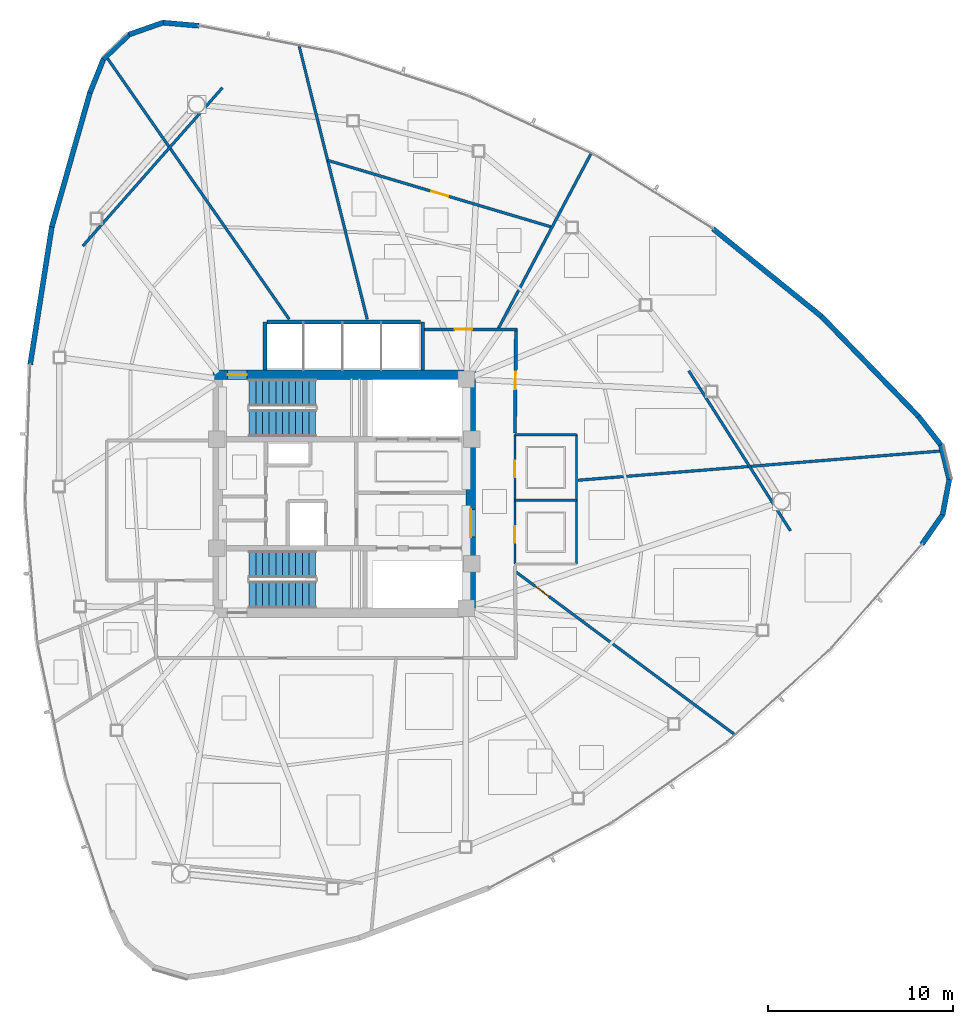
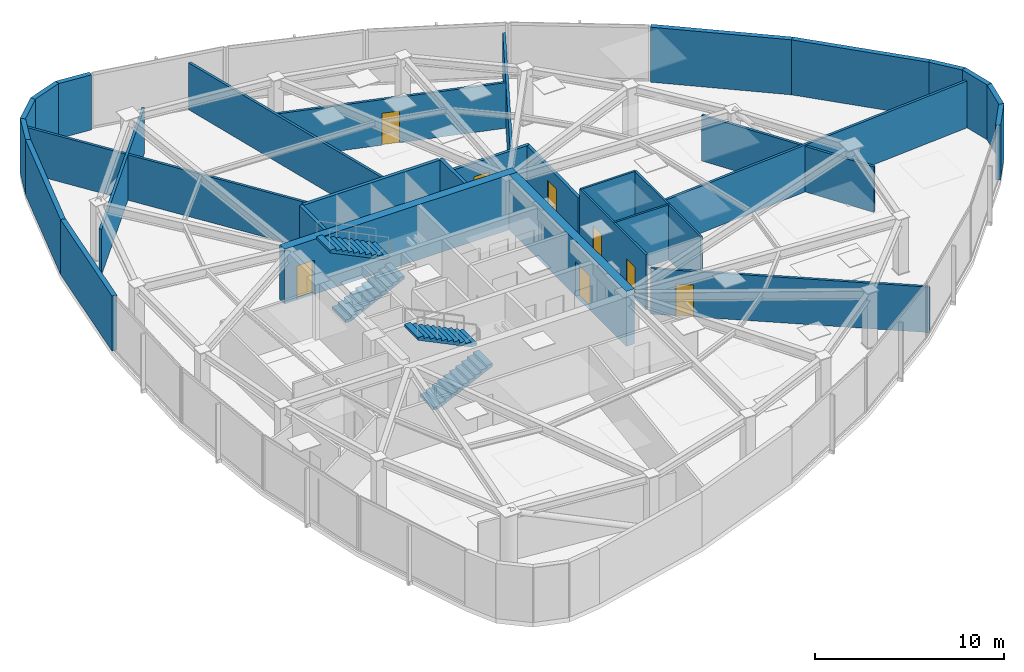
# One storey, part 12 of 17: 31 walls, 8 doors, 4 stair flights, 8 openings, 2 elements without a shape of their own.
"""IFC4 building model written with IfcOpenShell, lengths in metres."""

from ifc_helpers import new_model, si_unit, direction, frame, frame_2d, origin, place, context, subcontext, project, spatial, polyline, rectangle, outline, extrude, material, layer, layer_set, type_object, element, fill, aggregate, save


model = new_model("IFC4")

# Units and contexts
model_context = context("Model", 3, precision=1e-05, world=origin(), true_north=direction((0.0, 1.0)))
body_context = subcontext(model_context, "Body", "Model", "MODEL_VIEW")
ifc_project = project(units=[si_unit("LENGTHUNIT", "METRE"), si_unit("AREAUNIT", "SQUARE_METRE"), si_unit("VOLUMEUNIT", "CUBIC_METRE"), si_unit("PLANEANGLEUNIT", "RADIAN"), si_unit("MASSUNIT", "GRAM", prefix="KILO")], contexts=[model_context])

# Site, building, storey
site_placement = place(None, origin())
site = spatial("IfcSite", under=ifc_project, at=site_placement, CompositionType="ELEMENT")
building_placement = place(site_placement, origin())
building = spatial("IfcBuilding", under=site, at=building_placement, Name="Tavelor Broadcast Tower", CompositionType="ELEMENT")
storey_placement = place(building_placement, frame((0.0, 0.0, 165.64990234375)))
storey = spatial("IfcBuildingStorey", under=building, at=storey_placement, Name="L39", CompositionType="ELEMENT", Elevation=165.64990234375)

# Wall, opening, door
ifc_material_1 = material(Name="Concrete C50/60", Category="concrete")
ifc_layer_1 = layer(ifc_material_1, 0.5)
ifc_layer_set_1 = layer_set([ifc_layer_1], Name="Concrete C50/60")
wall_type_1 = type_object("IfcWallType", Name="Core Shear Wall 500 mm", PredefinedType="SHEAR", material=ifc_layer_set_1)
wall_1_placement = place(storey_placement, frame((42.89990234375, 51.449951171875, 0.0), z_axis=(0.0, 0.0, 1.0), x_axis=(1.0, 0.0, 0.0)))
wall_1 = element("IfcWall", 1, at=wall_1_placement, inside=storey, type_object=wall_type_1, Name="L39 Central Core Shear Wall N", PredefinedType="SHEAR", context=body_context, shape_type="SweptSolid", body=[
    extrude(rectangle(XDim=14.2001953125, YDim=0.5, at=frame_2d((7.10009765625, 0.0))), origin(), (0.0, 0.0, 1.0), 3.550048828125),
])
opening_1_placement = place(wall_1_placement, frame((0.780029296875, 0.0, 0.0)))
opening_1 = element("IfcOpeningElement", 2, at=opening_1_placement, cuts=wall_1, Name="Opening DR11", PredefinedType="OPENING", context=body_context, shape_type="SweptSolid", body=[
    extrude(rectangle(XDim=1.050048828125, YDim=2.199951171875, at=frame_2d((0.52490234375, 1.10009765625))), frame((0.0, 0.260009765625, 0.0), z_axis=(0.0, -1.0, 0.0), x_axis=(1.0, 0.0, 0.0)), (0.0, 0.0, 1.0), 0.52001953125),
])
ifc_material_2 = material(Name="Steel S355", Category="steel")
door_type_1 = type_object("IfcDoorType", Name="Stair Core Fire Escape Door 1050x2200", OperationType="NOTDEFINED", PredefinedType="DOOR", material=ifc_material_2)
door_1_placement = place(opening_1_placement, origin())
door_1 = element("IfcDoor", 3, at=door_1_placement, inside=storey, type_object=door_type_1, Name="L39 Stair ST1 Protected Exit Door", OperationType="SINGLE_SWING_LEFT", OverallHeight=2.199951171875, OverallWidth=1.050048828125, PredefinedType="DOOR", context=body_context, shape_type="SweptSolid", body=[
    extrude(rectangle(XDim=1.050048828125, YDim=2.199951171875, at=frame_2d((0.52490234375, 1.10009765625))), frame((0.0, 0.02490234375, 0.0), z_axis=(0.0, -1.0, 0.0), x_axis=(1.0, 0.0, 0.0)), (0.0, 0.0, 1.0), 0.050048828125),
])
fill(opening_1, door_1)

wall_2_placement = place(storey_placement, frame((56.85009765625, 38.800048828125, 0.0), z_axis=(0.0, 0.0, 1.0), x_axis=(0.0, 1.0, 0.0)))
wall_2 = element("IfcWall", 4, at=wall_2_placement, inside=storey, type_object=wall_type_1, Name="L39 Central Core Shear Wall E", PredefinedType="SHEAR", context=body_context, shape_type="SweptSolid", body=[
    extrude(rectangle(XDim=12.39990234375, YDim=0.5, at=frame_2d((6.199951171875, 0.0))), origin(), (0.0, 0.0, 1.0), 3.550048828125),
])
opening_2_placement = place(wall_2_placement, frame((3.85009765625, 0.0, 0.0)))
opening_2 = element("IfcOpeningElement", 5, at=opening_2_placement, cuts=wall_2, Name="Opening DR14", PredefinedType="OPENING", context=body_context, shape_type="SweptSolid", body=[
    extrude(rectangle(XDim=1.5, YDim=2.199951171875, at=frame_2d((0.75, 1.10009765625))), frame((0.0, 0.260009765625, 0.0), z_axis=(0.0, -1.0, 0.0), x_axis=(1.0, 0.0, 0.0)), (0.0, 0.0, 1.0), 0.52001953125),
])
door_type_2 = type_object("IfcDoorType", Name="Firefighting Lobby Double Fire Door 1500x2200", OperationType="NOTDEFINED", PredefinedType="DOOR", material=ifc_material_2)
door_2_placement = place(opening_2_placement, origin())
door_2 = element("IfcDoor", 6, at=door_2_placement, inside=storey, type_object=door_type_2, Name="L39 Central Core Lobby Fire Door", OperationType="SINGLE_SWING_RIGHT", OverallHeight=2.199951171875, OverallWidth=1.5, PredefinedType="DOOR", context=body_context, shape_type="SweptSolid", body=[
    extrude(rectangle(XDim=1.5, YDim=2.199951171875, at=frame_2d((0.75, 1.10009765625))), frame((0.0, 0.02490234375, 0.0), z_axis=(0.0, -1.0, 0.0), x_axis=(1.0, 0.0, 0.0)), (0.0, 0.0, 1.0), 0.050048828125),
])
fill(opening_2, door_2)

ifc_material_3 = material(Name="Calcium Silicate Fire Board 180 mm", Category="gypsum")
ifc_layer_2 = layer(ifc_material_3, 0.179931640625)
ifc_layer_set_2 = layer_set([ifc_layer_2], Name="Calcium Silicate Fire Board 180 mm")
wall_type_2 = type_object("IfcWallType", Name="Fire-Rated Corridor Partition Wall 180 mm", PredefinedType="PARTITIONING", material=ifc_layer_set_2)
wall_3_placement = place(storey_placement, frame((54.300048828125, 53.89990234375, 0.0), z_axis=(0.0, 0.0, 1.0), x_axis=(1.0, 0.0, 0.0)))
wall_3 = element("IfcWall", 7, at=wall_3_placement, inside=storey, type_object=wall_type_2, Name="L39 Corridor Compartment Wall 01", PredefinedType="PARTITIONING", context=body_context, shape_type="SweptSolid", body=[
    extrude(rectangle(XDim=5.050048828125, YDim=0.179931640625, at=frame_2d((2.52490234375, 0.0))), origin(), (0.0, 0.0, 1.0), 2.93505859375),
])
opening_3_placement = place(wall_3_placement, frame((1.67431640625, 0.0, 0.0)))
opening_3 = element("IfcOpeningElement", 8, at=opening_3_placement, cuts=wall_3, Name="Opening DR18", PredefinedType="OPENING", context=body_context, shape_type="SweptSolid", body=[
    extrude(rectangle(XDim=0.949951171875, YDim=2.050048828125, at=frame_2d((0.47509765625, 1.02490234375))), frame((0.0, 0.10009765625, 0.0), z_axis=(0.0, -1.0, 0.0), x_axis=(1.0, 0.0, 0.0)), (0.0, 0.0, 1.0), 0.199951171875),
])
ifc_material_4 = material(Name="Timber Solid Core Hardwood", Category="wood")
door_type_3 = type_object("IfcDoorType", Name="Corridor Rated Compartment Door 950x2050", OperationType="NOTDEFINED", PredefinedType="DOOR", material=ifc_material_4)
door_3_placement = place(opening_3_placement, origin())
door_3 = element("IfcDoor", 9, at=door_3_placement, inside=storey, type_object=door_type_3, Name="L39 Technical Mail and Post Room Door R8", OperationType="SINGLE_SWING_RIGHT", OverallHeight=2.050048828125, OverallWidth=0.949951171875, PredefinedType="DOOR", context=body_context, shape_type="SweptSolid", body=[
    extrude(rectangle(XDim=0.949951171875, YDim=2.050048828125, at=frame_2d((0.47509765625, 1.02490234375))), frame((0.0, 0.02490234375, 0.0), z_axis=(0.0, -1.0, 0.0), x_axis=(1.0, 0.0, 0.0)), (0.0, 0.0, 1.0), 0.050048828125),
])
fill(opening_3, door_3)

wall_4_placement = place(storey_placement, frame((59.300537109375, 53.949951171875, 0.0), z_axis=(0.0, 0.0, 1.0), x_axis=(-0.010629422803, -0.99994350609, 0.0)))
wall_4 = element("IfcWall", 10, at=wall_4_placement, inside=storey, type_object=wall_type_2, Name="L39 Corridor Compartment Wall 02", PredefinedType="PARTITIONING", context=body_context, shape_type="SweptSolid", body=[
    extrude(rectangle(XDim=5.650146484375, YDim=0.179931640625, at=frame_2d((2.8251953125, 0.0))), origin(), (0.0, 0.0, 1.0), 2.93505859375),
])
opening_4_placement = place(wall_4_placement, frame((2.35009765625, 0.0, 0.0)))
opening_4 = element("IfcOpeningElement", 11, at=opening_4_placement, cuts=wall_4, Name="Opening DR18", PredefinedType="OPENING", context=body_context, shape_type="SweptSolid", body=[
    extrude(rectangle(XDim=0.949951171875, YDim=2.050048828125, at=frame_2d((0.47509765625, 1.02490234375))), frame((0.0, 0.10009765625, 0.0), z_axis=(0.0, -1.0, 0.0), x_axis=(1.0, 0.0, 0.0)), (0.0, 0.0, 1.0), 0.199951171875),
])
door_4_placement = place(opening_4_placement, origin())
door_4 = element("IfcDoor", 12, at=door_4_placement, inside=storey, type_object=door_type_3, Name="L39 Digital Publishing Workspace Door R6", OperationType="SINGLE_SWING_LEFT", OverallHeight=2.050048828125, OverallWidth=0.949951171875, PredefinedType="DOOR", context=body_context, shape_type="SweptSolid", body=[
    extrude(rectangle(XDim=0.949951171875, YDim=2.050048828125, at=frame_2d((0.47509765625, 1.02490234375))), frame((0.0, 0.02490234375, 0.0), z_axis=(0.0, -1.0, 0.0), x_axis=(1.0, 0.0, 0.0)), (0.0, 0.0, 1.0), 0.050048828125),
])
fill(opening_4, door_4)

# Walls
ifc_material_5 = material(Name="Precast Concrete C40/50", Category="concrete")
ifc_layer_3 = layer(ifc_material_5, 0.280029296875)
ifc_layer_set_3 = layer_set([ifc_layer_3], Name="Precast Concrete C40/50")
wall_type_3 = type_object("IfcWallType", Name="Insulated Precast Terracotta Facade Wall 280 mm", PredefinedType="STANDARD", material=ifc_layer_set_3)
wall_5_placement = place(storey_placement, frame((42.124267578125, 70.346923828125, 0.0), z_axis=(0.0, 0.0, 1.0), x_axis=(-0.996265185005, 0.086346286241, 0.0)))
element("IfcWall", 13, at=wall_5_placement, inside=storey, type_object=wall_type_3, Name="L39 Rounded Corner Structural Cladding Pier 01", PredefinedType="STANDARD", context=body_context, shape_type="SweptSolid", body=[
    extrude(rectangle(XDim=1.970703125, YDim=0.280029296875, at=frame_2d((0.9853515625, 0.0))), origin(), (0.0, 0.0, 1.0), 3.550048828125),
])
for number, where, z_axis, x_axis, name in (
    (14, (40.18994140625, 70.520751953125, 0.0), (0.0, 0.0, 1.0), (-0.94350226642, -0.331366071379, 0.0), "L39 Rounded Corner Structural Cladding Pier 02"),
    (15, (38.366455078125, 69.88671875, 0.0), (0.0, 0.0, 1.0), (-0.723610147299, -0.690208921071, 0.0), "L39 Rounded Corner Structural Cladding Pier 03"),
):
    element("IfcWall", number, at=place(storey_placement, frame(where, z_axis=z_axis, x_axis=x_axis)), inside=storey, type_object=wall_type_3, Name=name, PredefinedType="STANDARD", context=body_context, shape_type="SweptSolid", body=[
        extrude(rectangle(XDim=1.958984375, YDim=0.280029296875, at=frame_2d((0.9794921875, 0.0))), origin(), (0.0, 0.0, 1.0), 3.550048828125),
    ])
wall_6_placement = place(storey_placement, frame((36.96533203125, 68.558837890625, 0.0), z_axis=(0.0, 0.0, 1.0), x_axis=(-0.37535908482, -0.926879472986, 0.0)))
element("IfcWall", 16, at=wall_6_placement, inside=storey, type_object=wall_type_3, Name="L39 Rounded Corner Structural Cladding Pier 04", PredefinedType="STANDARD", context=body_context, shape_type="SweptSolid", body=[
    extrude(rectangle(XDim=1.98193359375, YDim=0.280029296875, at=frame_2d((0.990966796875, 0.0))), origin(), (0.0, 0.0, 1.0), 3.550048828125),
])
wall_7_placement = place(storey_placement, frame((36.231201171875, 66.75048828125, 0.0), z_axis=(0.0, 0.0, 1.0), x_axis=(-0.273547795035, -0.96185841153, 0.0)))
element("IfcWall", 17, at=wall_7_placement, inside=storey, type_object=wall_type_3, Name="L39 Rounded Corner Structural Cladding Pier 05", PredefinedType="STANDARD", context=body_context, shape_type="SweptSolid", body=[
    extrude(rectangle(XDim=7.586181640625, YDim=0.280029296875, at=frame_2d((3.79296875, 0.0))), origin(), (0.0, 0.0, 1.0), 3.550048828125),
])
wall_8_placement = place(storey_placement, frame((34.162353515625, 59.48291015625, 0.0), z_axis=(0.0, 0.0, 1.0), x_axis=(-0.15516638453, -0.98788835053, 0.0)))
element("IfcWall", 18, at=wall_8_placement, inside=storey, type_object=wall_type_3, Name="L39 Rounded Corner Structural Cladding Pier 06", PredefinedType="STANDARD", context=body_context, shape_type="SweptSolid", body=[
    extrude(rectangle(XDim=7.574462890625, YDim=0.280029296875, at=frame_2d((3.787109375, 0.0))), origin(), (0.0, 0.0, 1.0), 3.550048828125),
])
wall_9_placement = place(storey_placement, frame((81.2890625, 42.264892578125, 0.0), z_axis=(0.0, 0.0, 1.0), x_axis=(0.57286353216, 0.819650763143, 0.0)))
element("IfcWall", 19, at=wall_9_placement, inside=storey, type_object=wall_type_3, Name="L39 Rounded Corner Structural Cladding Pier 21", PredefinedType="STANDARD", context=body_context, shape_type="SweptSolid", body=[
    extrude(rectangle(XDim=1.970703125, YDim=0.280029296875, at=frame_2d((0.9853515625, 0.0))), origin(), (0.0, 0.0, 1.0), 3.550048828125),
])
wall_10_placement = place(storey_placement, frame((82.406494140625, 43.85302734375, 0.0), z_axis=(0.0, 0.0, 1.0), x_axis=(0.184912930477, 0.982754907463, 0.0)))
element("IfcWall", 20, at=wall_10_placement, inside=storey, type_object=wall_type_3, Name="L39 Rounded Corner Structural Cladding Pier 22", PredefinedType="STANDARD", context=body_context, shape_type="SweptSolid", body=[
    extrude(rectangle(XDim=1.959228515625, YDim=0.280029296875, at=frame_2d((0.9794921875, 0.0))), origin(), (0.0, 0.0, 1.0), 3.550048828125),
])
wall_11_placement = place(storey_placement, frame((82.76953125, 45.749267578125, 0.0), z_axis=(0.0, 0.0, 1.0), x_axis=(-0.236049447122, 0.971741044988, 0.0)))
element("IfcWall", 21, at=wall_11_placement, inside=storey, type_object=wall_type_3, Name="L39 Rounded Corner Structural Cladding Pier 23", PredefinedType="STANDARD", context=body_context, shape_type="SweptSolid", body=[
    extrude(rectangle(XDim=1.958984375, YDim=0.280029296875, at=frame_2d((0.9794921875, 0.0))), origin(), (0.0, 0.0, 1.0), 3.550048828125),
])
wall_12_placement = place(storey_placement, frame((82.31982421875, 47.62646484375, 0.0), z_axis=(0.0, 0.0, 1.0), x_axis=(-0.61497205471, 0.788548902685, 0.0)))
element("IfcWall", 22, at=wall_12_placement, inside=storey, type_object=wall_type_3, Name="L39 Rounded Corner Structural Cladding Pier 24", PredefinedType="STANDARD", context=body_context, shape_type="SweptSolid", body=[
    extrude(rectangle(XDim=1.981689453125, YDim=0.280029296875, at=frame_2d((0.99072265625, 0.0))), origin(), (0.0, 0.0, 1.0), 3.550048828125),
])
wall_13_placement = place(storey_placement, frame((81.120849609375, 49.166748046875, 0.0), z_axis=(0.0, 0.0, 1.0), x_axis=(-0.69622725395, 0.717821433824, 0.0)))
element("IfcWall", 23, at=wall_13_placement, inside=storey, type_object=wall_type_3, Name="L39 Rounded Corner Structural Cladding Pier 25", PredefinedType="STANDARD", context=body_context, shape_type="SweptSolid", body=[
    extrude(rectangle(XDim=7.586181640625, YDim=0.280029296875, at=frame_2d((3.79296875, 0.0))), origin(), (0.0, 0.0, 1.0), 3.550048828125),
])
wall_14_placement = place(storey_placement, frame((75.861328125, 54.592041015625, 0.0), z_axis=(0.0, 0.0, 1.0), x_axis=(-0.7779484518, 0.628328104052, 0.0)))
element("IfcWall", 24, at=wall_14_placement, inside=storey, type_object=wall_type_3, Name="L39 Rounded Corner Structural Cladding Pier 26", PredefinedType="STANDARD", context=body_context, shape_type="SweptSolid", body=[
    extrude(rectangle(XDim=7.574462890625, YDim=0.280029296875, at=frame_2d((3.787109375, 0.0))), origin(), (0.0, 0.0, 1.0), 3.550048828125),
])
ifc_material_6 = material(Name="Gypsum Acoustic Plasterboard 150 mm", Category="gypsum")
ifc_layer_4 = layer(ifc_material_6, 0.14990234375)
ifc_layer_set_4 = layer_set([ifc_layer_4], Name="Gypsum Acoustic Plasterboard 150 mm")
wall_type_4 = type_object("IfcWallType", Name="Interior Acoustic Partition Wall 150 mm", PredefinedType="PARTITIONING", material=ifc_layer_set_4)
wall_15_placement = place(storey_placement, frame((43.399658203125, 66.988525390625, 0.0), z_axis=(0.0, 0.0, 1.0), x_axis=(-0.661622343701, -0.749837231881, 0.0)))
element("IfcWall", 25, at=wall_15_placement, inside=storey, type_object=wall_type_4, Name="L39 Corner Tube Brace Furring Wall 1", PredefinedType="PARTITIONING", context=body_context, shape_type="SweptSolid", body=[
    extrude(rectangle(XDim=11.42724609375, YDim=0.14990234375, at=frame_2d((5.713623046875, 0.0))), origin(), (0.0, 0.0, 1.0), 2.93505859375),
])
wall_16_placement = place(storey_placement, frame((74.16259765625, 42.9931640625, 0.0), z_axis=(0.0, 0.0, 1.0), x_axis=(-0.53628142437, 0.844039237166, 0.0)))
element("IfcWall", 26, at=wall_16_placement, inside=storey, type_object=wall_type_4, Name="L39 Corner Tube Brace Furring Wall 3", PredefinedType="PARTITIONING", context=body_context, shape_type="SweptSolid", body=[
    extrude(rectangle(XDim=10.266845703125, YDim=0.14990234375, at=frame_2d((5.13330078125, 0.0))), origin(), (0.0, 0.0, 1.0), 2.93505859375),
])
wall_17_placement = place(storey_placement, frame((51.243896484375, 54.449951171875, 0.0), z_axis=(0.0, 0.0, 1.0), x_axis=(-0.241927165762, 0.970294412262, 0.0)))
element("IfcWall", 27, at=wall_17_placement, inside=storey, type_object=wall_type_4, Name="L39 Radial Compartment Wall 01", PredefinedType="PARTITIONING", context=body_context, shape_type="SweptSolid", body=[
    extrude(rectangle(XDim=15.295654296875, YDim=0.14990234375, at=frame_2d((7.64794921875, 0.0))), origin(), (0.0, 0.0, 1.0), 3.025146484375),
])
wall_18_placement = place(storey_placement, frame((47.0166015625, 54.449951171875, 0.0), z_axis=(0.0, 0.0, 1.0), x_axis=(-0.571605569149, 0.820528532909, 0.0)))
element("IfcWall", 28, at=wall_18_placement, inside=storey, type_object=wall_type_4, Name="L39 Radial Compartment Wall 02", PredefinedType="PARTITIONING", context=body_context, shape_type="SweptSolid", body=[
    extrude(rectangle(XDim=17.35400390625, YDim=0.14990234375, at=frame_2d((8.677001953125, 0.0))), origin(), (0.0, 0.0, 1.0), 2.93505859375),
])

# Wall, opening, door
wall_19_placement = place(storey_placement, frame((59.244140625, 40.80419921875, 0.0), z_axis=(0.0, 0.0, 1.0), x_axis=(0.80252788441, -0.596614611575, 0.0)))
wall_19 = element("IfcWall", 29, at=wall_19_placement, inside=storey, type_object=wall_type_4, Name="L39 Radial Compartment Wall 06", PredefinedType="PARTITIONING", context=body_context, shape_type="SweptSolid", body=[
    extrude(rectangle(XDim=14.862060546875, YDim=0.14990234375, at=frame_2d((7.43115234375, 0.0))), origin(), (0.0, 0.0, 1.0), 2.93505859375),
])
opening_5_placement = place(wall_19_placement, frame((1.35009765625, 0.0, 0.0)))
opening_5 = element("IfcOpeningElement", 30, at=opening_5_placement, cuts=wall_19, Name="Opening DR18", PredefinedType="OPENING", context=body_context, shape_type="SweptSolid", body=[
    extrude(rectangle(XDim=0.949951171875, YDim=2.050048828125, at=frame_2d((0.47509765625, 1.02490234375))), frame((0.0, 0.0849609375, 0.0), z_axis=(0.0, -1.0, 0.0), x_axis=(1.0, 0.0, 0.0)), (0.0, 0.0, 1.0), 0.169921875),
])
door_5_placement = place(opening_5_placement, origin())
door_5 = element("IfcDoor", 31, at=door_5_placement, inside=storey, type_object=door_type_3, Name="L39 Suite Connecting Door 7", OperationType="SINGLE_SWING_LEFT", OverallHeight=2.050048828125, OverallWidth=0.949951171875, PredefinedType="DOOR", context=body_context, shape_type="SweptSolid", body=[
    extrude(rectangle(XDim=0.949951171875, YDim=2.050048828125, at=frame_2d((0.47509765625, 1.02490234375))), frame((0.0, 0.02490234375, 0.0), z_axis=(0.0, -1.0, 0.0), x_axis=(1.0, 0.0, 0.0)), (0.0, 0.0, 1.0), 0.050048828125),
])
fill(opening_5, door_5)

# Walls
wall_20_placement = place(storey_placement, frame((62.64990234375, 45.7294921875, 0.0), z_axis=(0.0, 0.0, 1.0), x_axis=(0.99676713924, 0.080344695726, 0.0)))
element("IfcWall", 32, at=wall_20_placement, inside=storey, type_object=wall_type_4, Name="L39 Radial Compartment Wall 07", PredefinedType="PARTITIONING", context=body_context, shape_type="SweptSolid", body=[
    extrude(rectangle(XDim=19.81201171875, YDim=0.14990234375, at=frame_2d((9.906005859375, 0.0))), origin(), (0.0, 0.0, 1.0), 3.025146484375),
])
wall_21_placement = place(storey_placement, frame((58.31689453125, 53.89990234375, 0.0), z_axis=(0.0, 0.0, 1.0), x_axis=(0.468263473566, 0.883588885922, 0.0)))
element("IfcWall", 33, at=wall_21_placement, inside=storey, type_object=wall_type_4, Name="L39 Radial Compartment Wall 08", PredefinedType="PARTITIONING", context=body_context, shape_type="SweptSolid", body=[
    extrude(rectangle(XDim=10.805419921875, YDim=0.14990234375, at=frame_2d((5.40283203125, 0.0))), origin(), (0.0, 0.0, 1.0), 2.93505859375),
])

# Wall, opening, door
wall_22_placement = place(storey_placement, frame((61.251708984375, 59.4375, 0.0), z_axis=(0.0, 0.0, 1.0), x_axis=(-0.958385571521, 0.28547696282, 0.0)))
wall_22 = element("IfcWall", 34, at=wall_22_placement, inside=storey, type_object=wall_type_4, Name="L39 Suite Chord Partition Wall 01", PredefinedType="PARTITIONING", context=body_context, shape_type="SweptSolid", body=[
    extrude(rectangle(XDim=12.681884765625, YDim=0.14990234375, at=frame_2d((6.3408203125, 0.0))), origin(), (0.0, 0.0, 1.0), 2.93505859375),
])
opening_6_placement = place(wall_22_placement, frame((5.86572265625, 0.0, 0.0)))
opening_6 = element("IfcOpeningElement", 35, at=opening_6_placement, cuts=wall_22, Name="Opening DR23", PredefinedType="OPENING", context=body_context, shape_type="SweptSolid", body=[
    extrude(rectangle(XDim=0.949951171875, YDim=2.050048828125, at=frame_2d((0.47509765625, 1.02490234375))), frame((0.0, 0.0849609375, 0.0), z_axis=(0.0, -1.0, 0.0), x_axis=(1.0, 0.0, 0.0)), (0.0, 0.0, 1.0), 0.169921875),
])
door_type_4 = type_object("IfcDoorType", Name="Editorial Room Acoustic Door 950x2050", OperationType="NOTDEFINED", PredefinedType="DOOR", material=ifc_material_4)
door_6_placement = place(opening_6_placement, origin())
door_6 = element("IfcDoor", 36, at=door_6_placement, inside=storey, type_object=door_type_4, Name="L39 Outer Suite Partition Door 1", OperationType="SINGLE_SWING_RIGHT", OverallHeight=2.050048828125, OverallWidth=0.949951171875, PredefinedType="DOOR", context=body_context, shape_type="SweptSolid", body=[
    extrude(rectangle(XDim=0.949951171875, YDim=2.050048828125, at=frame_2d((0.47509765625, 1.02490234375))), frame((0.0, 0.02490234375, 0.0), z_axis=(0.0, -1.0, 0.0), x_axis=(1.0, 0.0, 0.0)), (0.0, 0.0, 1.0), 0.050048828125),
])
fill(opening_6, door_6)

# Walls
ifc_material_7 = material(Name="Concrete Blockwork 200 mm", Category="masonry")
ifc_layer_5 = layer(ifc_material_7, 0.199951171875)
ifc_layer_set_5 = layer_set([ifc_layer_5], Name="Concrete Blockwork 200 mm")
wall_type_5 = type_object("IfcWallType", Name="Lift Hoistway Rated Front Wall 200 mm", PredefinedType="PARTITIONING", material=ifc_layer_set_5)
wall_23_placement = place(storey_placement, frame((45.820068359375, 54.300048828125, 0.0), z_axis=(0.0, 0.0, 1.0), x_axis=(1.0, 0.0, 0.0)))
element("IfcWall", 37, at=wall_23_placement, inside=storey, type_object=wall_type_5, Name="L39 High-Rise Lift Hoistway Front Wall", PredefinedType="PARTITIONING", context=body_context, shape_type="SweptSolid", body=[
    extrude(rectangle(XDim=8.309814453125, YDim=0.199951171875, at=frame_2d((4.15478515625, 0.0))), origin(), (0.0, 0.0, 1.0), 3.550048828125),
])
ifc_layer_6 = layer(ifc_material_7, 0.199951171875)
ifc_layer_set_6 = layer_set([ifc_layer_6], Name="Concrete Blockwork 200 mm")
wall_type_6 = type_object("IfcWallType", Name="Lift and Riser Shaft Enclosure Wall 200 mm", PredefinedType="PARTITIONING", material=ifc_layer_set_6)
for number, where, z_axis, x_axis, name in (
    (38, (45.699951171875, 51.699951171875, 0.0), (0.0, 0.0, 1.0), (0.0, 1.0, 0.0), "L39 High-Rise Lift Shaft West Wall"),
    (39, (54.25, 51.699951171875, 0.0), (0.0, 0.0, 1.0), (0.0, 1.0, 0.0), "L39 High-Rise Lift Shaft East Wall"),
):
    element("IfcWall", number, at=place(storey_placement, frame(where, z_axis=z_axis, x_axis=x_axis)), inside=storey, type_object=wall_type_6, Name=name, PredefinedType="PARTITIONING", context=body_context, shape_type="SweptSolid", body=[
        extrude(rectangle(XDim=2.60009765625, YDim=0.199951171875, at=frame_2d((1.300048828125, 0.0))), origin(), (0.0, 0.0, 1.0), 3.550048828125),
    ])

# Wall, openings, doors
ifc_material_8 = material(Name="Moisture-Resistant Plasterboard 120 mm", Category="gypsum")
ifc_layer_7 = layer(ifc_material_8, 0.1201171875)
ifc_layer_set_7 = layer_set([ifc_layer_7], Name="Moisture-Resistant Plasterboard 120 mm")
wall_type_7 = type_object("IfcWallType", Name="Moisture-Resistant Wet-Room Partition 120 mm", PredefinedType="PARTITIONING", material=ifc_layer_set_7)
wall_24_placement = place(storey_placement, frame((59.239990234375, 41.199951171875, 0.0), z_axis=(0.0, 0.0, 1.0), x_axis=(0.0, 1.0, 0.0)))
wall_24 = element("IfcWall", 40, at=wall_24_placement, inside=storey, type_object=wall_type_7, Name="L39 Floor Washrooms West Wall", PredefinedType="PARTITIONING", context=body_context, shape_type="SweptSolid", body=[
    extrude(rectangle(XDim=7.0, YDim=0.1201171875, at=frame_2d((3.5, 0.0))), origin(), (0.0, 0.0, 1.0), 3.550048828125),
])
opening_7_placement = place(wall_24_placement, frame((1.14990234375, 0.0, 0.0)))
opening_7 = element("IfcOpeningElement", 41, at=opening_7_placement, cuts=wall_24, Name="Opening DR32", PredefinedType="OPENING", context=body_context, shape_type="SweptSolid", body=[
    extrude(rectangle(XDim=0.89990234375, YDim=2.050048828125, at=frame_2d((0.449951171875, 1.02490234375))), frame((0.0, 0.070068359375, 0.0), z_axis=(0.0, -1.0, 0.0), x_axis=(1.0, 0.0, 0.0)), (0.0, 0.0, 1.0), 0.14013671875),
])
opening_8_placement = place(wall_24_placement, frame((4.699951171875, 0.0, 0.0)))
opening_8 = element("IfcOpeningElement", 42, at=opening_8_placement, cuts=wall_24, Name="Opening DR32", PredefinedType="OPENING", context=body_context, shape_type="SweptSolid", body=[
    extrude(rectangle(XDim=0.89990234375, YDim=2.050048828125, at=frame_2d((0.449951171875, 1.02490234375))), frame((0.0, 0.070068359375, 0.0), z_axis=(0.0, -1.0, 0.0), x_axis=(1.0, 0.0, 0.0)), (0.0, 0.0, 1.0), 0.14013671875),
])
door_type_5 = type_object("IfcDoorType", Name="Accessible Washroom Door 900x2050", OperationType="NOTDEFINED", PredefinedType="DOOR", material=ifc_material_4)
door_7_placement = place(opening_7_placement, origin())
door_7 = element("IfcDoor", 43, at=door_7_placement, inside=storey, type_object=door_type_5, Name="L39 Accessible WC Door", OperationType="SINGLE_SWING_LEFT", OverallHeight=2.050048828125, OverallWidth=0.89990234375, PredefinedType="DOOR", context=body_context, shape_type="SweptSolid", body=[
    extrude(rectangle(XDim=0.89990234375, YDim=2.050048828125, at=frame_2d((0.449951171875, 1.02490234375))), frame((0.0, 0.02490234375, 0.0), z_axis=(0.0, -1.0, 0.0), x_axis=(1.0, 0.0, 0.0)), (0.0, 0.0, 1.0), 0.050048828125),
])
fill(opening_7, door_7)
door_8_placement = place(opening_8_placement, origin())
door_8 = element("IfcDoor", 44, at=door_8_placement, inside=storey, type_object=door_type_5, Name="L39 Staff Washroom WC Door", OperationType="SINGLE_SWING_RIGHT", OverallHeight=2.050048828125, OverallWidth=0.89990234375, PredefinedType="DOOR", context=body_context, shape_type="SweptSolid", body=[
    extrude(rectangle(XDim=0.89990234375, YDim=2.050048828125, at=frame_2d((0.449951171875, 1.02490234375))), frame((0.0, 0.02490234375, 0.0), z_axis=(0.0, -1.0, 0.0), x_axis=(1.0, 0.0, 0.0)), (0.0, 0.0, 1.0), 0.050048828125),
])
fill(opening_8, door_8)

# Walls
for number, where, z_axis, x_axis, name in (
    (45, (59.239990234375, 44.64990234375, 0.0), (0.0, 0.0, 1.0), (1.0, 0.0, 0.0), "L39 Floor Washrooms Divider Wall"),
    (46, (59.239990234375, 48.199951171875, 0.0), (0.0, 0.0, 1.0), (1.0, 0.0, 0.0), "L39 Floor Washrooms North Wall"),
):
    element("IfcWall", number, at=place(storey_placement, frame(where, z_axis=z_axis, x_axis=x_axis)), inside=storey, type_object=wall_type_7, Name=name, PredefinedType="PARTITIONING", context=body_context, shape_type="SweptSolid", body=[
        extrude(rectangle(XDim=3.340087890625, YDim=0.1201171875, at=frame_2d((1.669921875, 0.0))), origin(), (0.0, 0.0, 1.0), 3.550048828125),
    ])
wall_25_placement = place(storey_placement, frame((62.580078125, 41.199951171875, 0.0), z_axis=(0.0, 0.0, 1.0), x_axis=(0.0, 1.0, 0.0)))
element("IfcWall", 47, at=wall_25_placement, inside=storey, type_object=wall_type_7, Name="L39 Floor Washrooms East Wall", PredefinedType="PARTITIONING", context=body_context, shape_type="SweptSolid", body=[
    extrude(rectangle(XDim=7.0, YDim=0.1201171875, at=frame_2d((3.5, 0.0))), origin(), (0.0, 0.0, 1.0), 3.550048828125),
])

# Stair, stair flights
ifc_material_9 = material(Name="Concrete C40/50", Category="concrete")
stair_type = type_object("IfcStairType", Name="Reinforced Concrete Protected Dogleg Stair 1450 mm", PredefinedType="HALF_TURN_STAIR", material=ifc_material_9)
stair_1_placement = place(storey_placement, origin())
stair_1 = element("IfcStair", 48, at=stair_1_placement, inside=storey, type_object=stair_type, Name="L39 Protected Core Exit Stair ST1", PredefinedType="HALF_TURN_STAIR")
stair_flight_type = type_object("IfcStairFlightType", Name="Reinforced Concrete Stair Flight 1450 mm", PredefinedType="STRAIGHT", material=ifc_material_9)
stair_flight_1_placement = place(storey_placement, frame((44.85009765625, 48.824951171875, 0.0), z_axis=(0.0, 0.0, 1.0), x_axis=(1.0, 0.0, 0.0)))
stair_flight_1 = element("IfcStairFlight", 49, at=stair_flight_1_placement, type_object=stair_flight_type, Name="ST1 flight 1", NumberOfRisers=11, NumberOfTreads=10, PredefinedType="STRAIGHT", RiserHeight=0.175, TreadLength=0.36, context=body_context, shape_type="SweptSolid", body=[
    extrude(outline(polyline([(0.0, 0.0), (0.0, 0.175048828125), (0.360107421875, 0.175048828125), (0.360107421875, 0.35009765625), (0.719970703125, 0.35009765625), (0.719970703125, 0.52490234375), (1.080078125, 0.52490234375), (1.080078125, 0.699951171875), (1.43994140625, 0.699951171875), (1.43994140625, 0.875), (1.800048828125, 0.875), (1.800048828125, 1.050048828125), (2.159912109375, 1.050048828125), (2.159912109375, 1.22509765625), (2.52001953125, 1.22509765625), (2.52001953125, 1.39990234375), (2.8798828125, 1.39990234375), (2.8798828125, 1.574951171875), (3.239990234375, 1.574951171875), (3.239990234375, 1.75), (3.60009765625, 1.75), (3.60009765625, 1.925048828125), (3.60009765625, 1.583251953125), (0.3427734375, 0.0), (0.0, 0.0)])), frame((0.0, 0.72509765625, 0.0), z_axis=(0.0, -1.0, 0.0), x_axis=(1.0, 0.0, 0.0)), (0.0, 0.0, 1.0), 1.449951171875),
])
stair_flight_2_placement = place(storey_placement, frame((48.449951171875, 50.47509765625, 1.925048828125), z_axis=(0.0, 0.0, 1.0), x_axis=(-1.0, 0.0, 0.0)))
stair_flight_2 = element("IfcStairFlight", 50, at=stair_flight_2_placement, type_object=stair_flight_type, Name="ST1 flight 2", NumberOfRisers=11, NumberOfTreads=10, PredefinedType="STRAIGHT", RiserHeight=0.175, TreadLength=0.36, context=body_context, shape_type="SweptSolid", body=[
    extrude(outline(polyline([(0.0, 0.0), (0.0, 0.175048828125), (0.360107421875, 0.175048828125), (0.360107421875, 0.35009765625), (0.719970703125, 0.35009765625), (0.719970703125, 0.52490234375), (1.080078125, 0.52490234375), (1.080078125, 0.699951171875), (1.43994140625, 0.699951171875), (1.43994140625, 0.875), (1.800048828125, 0.875), (1.800048828125, 1.050048828125), (2.159912109375, 1.050048828125), (2.159912109375, 1.22509765625), (2.52001953125, 1.22509765625), (2.52001953125, 1.39990234375), (2.8798828125, 1.39990234375), (2.8798828125, 1.574951171875), (3.239990234375, 1.574951171875), (3.239990234375, 1.75), (3.60009765625, 1.75), (3.60009765625, 1.925048828125), (3.60009765625, 1.583251953125), (0.3427734375, 0.0), (0.0, 0.0)])), frame((0.0, 0.72509765625, 0.0), z_axis=(0.0, -1.0, 0.0), x_axis=(1.0, 0.0, 0.0)), (0.0, 0.0, 1.0), 1.449951171875),
])
aggregate(stair_1, [stair_flight_1, stair_flight_2])

stair_2_placement = place(storey_placement, origin())
stair_2 = element("IfcStair", 51, at=stair_2_placement, inside=storey, type_object=stair_type, Name="L39 Protected Core Exit Stair ST2", PredefinedType="HALF_TURN_STAIR")
stair_flight_3_placement = place(storey_placement, frame((44.85009765625, 39.52490234375, 0.0), z_axis=(0.0, 0.0, 1.0), x_axis=(1.0, 0.0, 0.0)))
stair_flight_3 = element("IfcStairFlight", 52, at=stair_flight_3_placement, type_object=stair_flight_type, Name="ST2 flight 1", NumberOfRisers=11, NumberOfTreads=10, PredefinedType="STRAIGHT", RiserHeight=0.175, TreadLength=0.36, context=body_context, shape_type="SweptSolid", body=[
    extrude(outline(polyline([(0.0, 0.0), (0.0, 0.175048828125), (0.360107421875, 0.175048828125), (0.360107421875, 0.35009765625), (0.719970703125, 0.35009765625), (0.719970703125, 0.52490234375), (1.080078125, 0.52490234375), (1.080078125, 0.699951171875), (1.43994140625, 0.699951171875), (1.43994140625, 0.875), (1.800048828125, 0.875), (1.800048828125, 1.050048828125), (2.159912109375, 1.050048828125), (2.159912109375, 1.22509765625), (2.52001953125, 1.22509765625), (2.52001953125, 1.39990234375), (2.8798828125, 1.39990234375), (2.8798828125, 1.574951171875), (3.239990234375, 1.574951171875), (3.239990234375, 1.75), (3.60009765625, 1.75), (3.60009765625, 1.925048828125), (3.60009765625, 1.583251953125), (0.3427734375, 0.0), (0.0, 0.0)])), frame((0.0, 0.72509765625, 0.0), z_axis=(0.0, -1.0, 0.0), x_axis=(1.0, 0.0, 0.0)), (0.0, 0.0, 1.0), 1.449951171875),
])
stair_flight_4_placement = place(storey_placement, frame((48.449951171875, 41.175048828125, 1.925048828125), z_axis=(0.0, 0.0, 1.0), x_axis=(-1.0, 0.0, 0.0)))
stair_flight_4 = element("IfcStairFlight", 53, at=stair_flight_4_placement, type_object=stair_flight_type, Name="ST2 flight 2", NumberOfRisers=11, NumberOfTreads=10, PredefinedType="STRAIGHT", RiserHeight=0.175, TreadLength=0.36, context=body_context, shape_type="SweptSolid", body=[
    extrude(outline(polyline([(0.0, 0.0), (0.0, 0.175048828125), (0.360107421875, 0.175048828125), (0.360107421875, 0.35009765625), (0.719970703125, 0.35009765625), (0.719970703125, 0.52490234375), (1.080078125, 0.52490234375), (1.080078125, 0.699951171875), (1.43994140625, 0.699951171875), (1.43994140625, 0.875), (1.800048828125, 0.875), (1.800048828125, 1.050048828125), (2.159912109375, 1.050048828125), (2.159912109375, 1.22509765625), (2.52001953125, 1.22509765625), (2.52001953125, 1.39990234375), (2.8798828125, 1.39990234375), (2.8798828125, 1.574951171875), (3.239990234375, 1.574951171875), (3.239990234375, 1.75), (3.60009765625, 1.75), (3.60009765625, 1.925048828125), (3.60009765625, 1.583251953125), (0.3427734375, 0.0), (0.0, 0.0)])), frame((0.0, 0.72509765625, 0.0), z_axis=(0.0, -1.0, 0.0), x_axis=(1.0, 0.0, 0.0)), (0.0, 0.0, 1.0), 1.449951171875),
])
aggregate(stair_2, [stair_flight_3, stair_flight_4])

save(model, "model.ifc")
